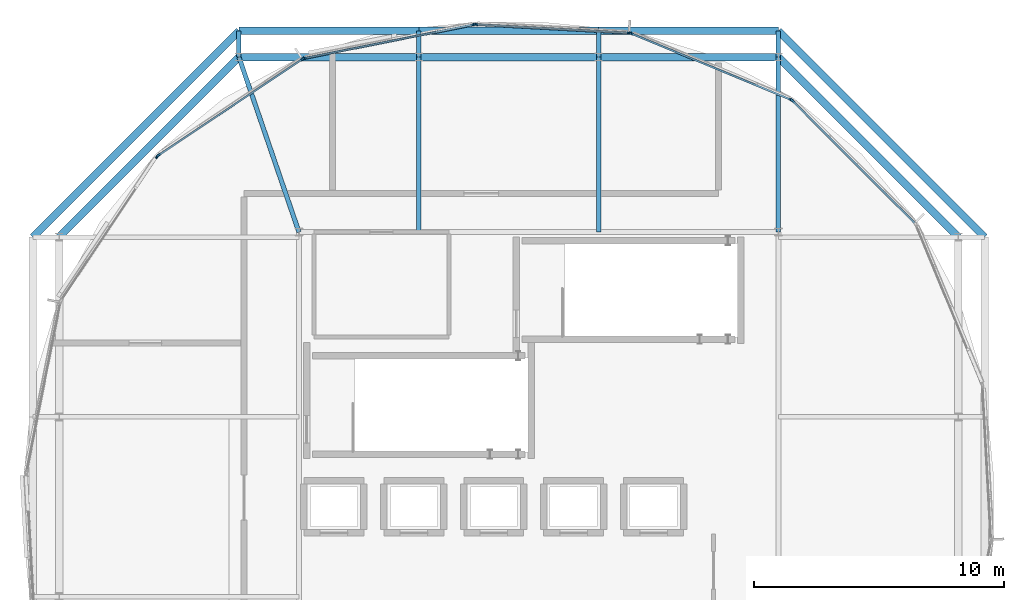
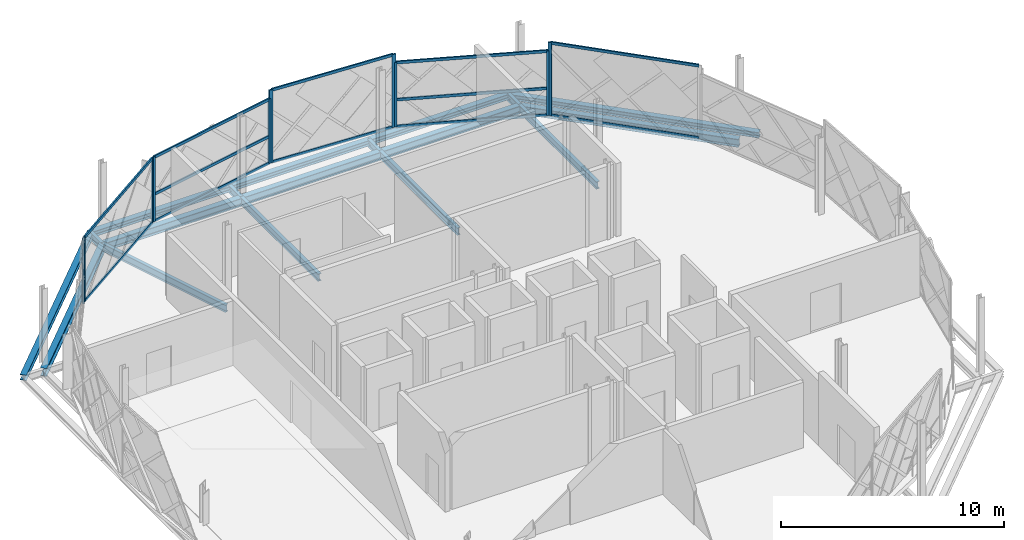
# One storey, part 8 of 15: 22 members, 18 beams, 6 elements without a shape of their own.
"""IFC4 building model written with IfcOpenShell, lengths in metres."""

from ifc_helpers import new_model, si_unit, direction, frame, origin, origin_2d, place, context, subcontext, project, spatial, rectangle, i_section, extrude, material, layer, layer_set, material_profile, profile_set, type_object, element, aggregate, save


model = new_model("IFC4")

# Units and contexts
model_context = context("Model", 3, precision=1e-05, world=origin(), true_north=direction((0.0, 1.0)))
body_context = subcontext(model_context, "Body", "Model", "MODEL_VIEW")
ifc_project = project(units=[si_unit("LENGTHUNIT", "METRE"), si_unit("AREAUNIT", "SQUARE_METRE"), si_unit("VOLUMEUNIT", "CUBIC_METRE"), si_unit("PLANEANGLEUNIT", "RADIAN"), si_unit("MASSUNIT", "GRAM", prefix="KILO")], contexts=[model_context])

# Site, building, storey
site_placement = place(None, origin())
site = spatial("IfcSite", under=ifc_project, at=site_placement, CompositionType="ELEMENT")
building_placement = place(site_placement, origin())
building = spatial("IfcBuilding", under=site, at=building_placement, Name="Zevrakil Square Congress Hotel", CompositionType="ELEMENT")
storey_placement = place(building_placement, frame((0.0, 0.0, 41.89990234375)))
storey = spatial("IfcBuildingStorey", under=building, at=storey_placement, Name="L12", CompositionType="ELEMENT", Elevation=41.89990234375)

# Beams
ifc_material_1 = material(Name="Steel S355", Category="steel")
ifc_material_profile_1 = material_profile(ifc_material_1, i_section(OverallWidth=0.300048828125, OverallDepth=0.43994140625, WebThickness=0.011474609375, FlangeThickness=0.02099609375, FilletRadius=0.027099609375, at=origin_2d()), Name="HEA 450")
ifc_profile_set_1 = profile_set([ifc_material_profile_1], Name="Steel S355")
beam_type_1 = type_object("IfcBeamType", Name="BM-HEA450", PredefinedType="BEAM", material=ifc_profile_set_1)
beam_1_placement = place(storey_placement, frame((163.199951171875, 38.39990234375, -0.469970703125), z_axis=(-0.70709479277, 0.7071187694, 0.0), x_axis=(-0.7071187694, -0.70709479277, 0.0)))
element("IfcBeam", 1, at=beam_1_placement, inside=storey, type_object=beam_type_1, Name="L12 drum ring girder DRB-08", PredefinedType="BEAM", context=body_context, shape_type="SweptSolid", body=[
    extrude(i_section(OverallWidth=0.300048828125, OverallDepth=0.43994140625, WebThickness=0.011474609375, FlangeThickness=0.02099609375, FilletRadius=0.027099609375, at=origin_2d()), origin(), (0.0, 0.0, 1.0), 10.182373046875),
])
for number, where, z_axis, x_axis, name in (
    (2, (156.0, 45.60009765625, -0.469970703125), (-1.0, 0.0, 0.0), (0.0, -1.0, 0.0), "L12 drum ring girder DRB-09"),
    (3, (148.800048828125, 45.60009765625, -0.469970703125), (-1.0, 0.0, 0.0), (0.0, -1.0, 0.0), "L12 drum ring girder DRB-10"),
):
    element("IfcBeam", number, at=place(storey_placement, frame(where, z_axis=z_axis, x_axis=x_axis)), inside=storey, type_object=beam_type_1, Name=name, PredefinedType="BEAM", context=body_context, shape_type="SweptSolid", body=[
        extrude(i_section(OverallWidth=0.300048828125, OverallDepth=0.43994140625, WebThickness=0.011474609375, FlangeThickness=0.02099609375, FilletRadius=0.027099609375, at=origin_2d()), origin(), (0.0, 0.0, 1.0), 7.199951171875),
    ])
beam_2_placement = place(storey_placement, frame((141.60009765625, 45.60009765625, -0.469970703125), z_axis=(-1.0, 0.0, 0.0), x_axis=(0.0, -1.0, 0.0)))
element("IfcBeam", 4, at=beam_2_placement, inside=storey, type_object=beam_type_1, Name="L12 drum ring girder DRB-11", PredefinedType="BEAM", context=body_context, shape_type="SweptSolid", body=[
    extrude(i_section(OverallWidth=0.300048828125, OverallDepth=0.43994140625, WebThickness=0.011474609375, FlangeThickness=0.02099609375, FilletRadius=0.027099609375, at=origin_2d()), origin(), (0.0, 0.0, 1.0), 7.2001953125),
])
beam_3_placement = place(storey_placement, frame((134.39990234375, 45.60009765625, -0.469970703125), z_axis=(-0.70709479277, -0.7071187694, 0.0), x_axis=(0.7071187694, -0.70709479277, 0.0)))
element("IfcBeam", 5, at=beam_3_placement, inside=storey, type_object=beam_type_1, Name="L12 drum ring girder DRB-12", PredefinedType="BEAM", context=body_context, shape_type="SweptSolid", body=[
    extrude(i_section(OverallWidth=0.300048828125, OverallDepth=0.43994140625, WebThickness=0.011474609375, FlangeThickness=0.02099609375, FilletRadius=0.027099609375, at=origin_2d()), origin(), (0.0, 0.0, 1.0), 10.182373046875),
])

# Curtain wall, members
ifc_material_2 = material(Name="Aluminium Anodised Bronze", Category="aluminium")
ifc_layer_1 = layer(ifc_material_2, 0.179931640625)
ifc_layer_set_1 = layer_set([ifc_layer_1], Name="Aluminium Anodised Bronze")
curtain_wall_type_1 = type_object("IfcCurtainWallType", Name="CW-L12-720", PredefinedType="USERDEFINED", material=ifc_layer_set_1)
curtain_wall_1_placement = place(storey_placement, origin())
curtain_wall_1 = element("IfcCurtainWall", 6, at=curtain_wall_1_placement, inside=storey, type_object=curtain_wall_type_1, Name="L12 diamond curtain wall CW-L12-0307", ObjectType="GLAZED CURTAIN WALL", PredefinedType="USERDEFINED")
ifc_material_3 = material(Name="Aluminium Anodised Bronze", Category="aluminium")
ifc_material_profile_2 = material_profile(ifc_material_3, rectangle(XDim=0.074951171875, YDim=0.14990234375, at=origin_2d()), Name="ALU 75x150")
ifc_profile_set_2 = profile_set([ifc_material_profile_2], Name="Aluminium Anodised Bronze")
member_type_1 = type_object("IfcMemberType", Name="CWM-ALU75x150", PredefinedType="USERDEFINED", material=ifc_profile_set_2)
member_1_placement = place(storey_placement, frame((161.442626953125, 38.9736328125, 0.030029296875), z_axis=(-0.707106781187, 0.707106781187, 0.0), x_axis=(-0.707106781187, -0.707106781187, 0.0)))
member_1 = element("IfcMember", 7, at=member_1_placement, type_object=member_type_1, Name="CW-142 transom 1.1", ObjectType="TRANSOM", PredefinedType="USERDEFINED", context=body_context, shape_type="SweptSolid", body=[
    extrude(rectangle(XDim=0.074951171875, YDim=0.14990234375, at=origin_2d()), origin(), (0.0, 0.0, 1.0), 6.8857421875),
])
member_2_placement = place(storey_placement, frame((161.442626953125, 38.9736328125, 3.965087890625), z_axis=(-0.707106781187, 0.707106781187, 0.0), x_axis=(-0.707106781187, -0.707106781187, 0.0)))
member_2 = element("IfcMember", 8, at=member_2_placement, type_object=member_type_1, Name="CW-142 transom 1.2", ObjectType="TRANSOM", PredefinedType="USERDEFINED", context=body_context, shape_type="SweptSolid", body=[
    extrude(rectangle(XDim=0.074951171875, YDim=0.14990234375, at=origin_2d()), origin(), (0.0, 0.0, 1.0), 6.8857421875),
])

curtain_wall_2_placement = place(storey_placement, origin())
curtain_wall_2 = element("IfcCurtainWall", 9, at=curtain_wall_2_placement, inside=storey, type_object=curtain_wall_type_1, Name="L12 diamond curtain wall CW-L12-0308", ObjectType="GLAZED CURTAIN WALL", PredefinedType="USERDEFINED")
member_3_placement = place(storey_placement, frame((156.475830078125, 43.907958984375, 0.030029296875), z_axis=(-0.923881573236, 0.382678505582, 0.0), x_axis=(-0.382678505582, -0.923881573236, 0.0)))
member_3 = element("IfcMember", 10, at=member_3_placement, type_object=member_type_1, Name="CW-142 transom 1.1", ObjectType="TRANSOM", PredefinedType="USERDEFINED", context=body_context, shape_type="SweptSolid", body=[
    extrude(rectangle(XDim=0.074951171875, YDim=0.14990234375, at=origin_2d()), origin(), (0.0, 0.0, 1.0), 6.8857421875),
])
member_4_placement = place(storey_placement, frame((156.475830078125, 43.907958984375, 1.48681640625), z_axis=(-0.923881573236, 0.382678505582, 0.0), x_axis=(-0.382678505582, -0.923881573236, 0.0)))
member_4 = element("IfcMember", 11, at=member_4_placement, type_object=member_type_1, Name="CW-142 transom 1.2", ObjectType="TRANSOM", PredefinedType="USERDEFINED", context=body_context, shape_type="SweptSolid", body=[
    extrude(rectangle(XDim=0.074951171875, YDim=0.14990234375, at=origin_2d()), origin(), (0.0, 0.0, 1.0), 6.8857421875),
])
member_5_placement = place(storey_placement, frame((156.475830078125, 43.907958984375, 3.510009765625), z_axis=(-0.923881573236, 0.382678505582, 0.0), x_axis=(-0.382678505582, -0.923881573236, 0.0)))
member_5 = element("IfcMember", 12, at=member_5_placement, type_object=member_type_1, Name="CW-142 transom 1.3", ObjectType="TRANSOM", PredefinedType="USERDEFINED", context=body_context, shape_type="SweptSolid", body=[
    extrude(rectangle(XDim=0.074951171875, YDim=0.14990234375, at=origin_2d()), origin(), (0.0, 0.0, 1.0), 6.8857421875),
])

ifc_material_4 = material(Name="Aluminium Anodised Bronze", Category="aluminium")
ifc_layer_2 = layer(ifc_material_4, 0.179931640625)
ifc_layer_set_2 = layer_set([ifc_layer_2], Name="Aluminium Anodised Bronze")
curtain_wall_type_2 = type_object("IfcCurtainWallType", Name="CW-L12-640", PredefinedType="USERDEFINED", material=ifc_layer_set_2)
curtain_wall_3_placement = place(storey_placement, origin())
curtain_wall_3 = element("IfcCurtainWall", 13, at=curtain_wall_3_placement, inside=storey, type_object=curtain_wall_type_2, Name="L12 diamond curtain wall CW-L12-0309", ObjectType="GLAZED CURTAIN WALL", PredefinedType="USERDEFINED")
member_6_placement = place(storey_placement, frame((149.998779296875, 46.5693359375, 0.030029296875), z_axis=(-0.998462444515, 0.055432363232, 0.0), x_axis=(-0.055432363232, -0.998462444515, 0.0)))
member_6 = element("IfcMember", 14, at=member_6_placement, type_object=member_type_1, Name="CW-141 transom 1.1", ObjectType="TRANSOM", PredefinedType="USERDEFINED", context=body_context, shape_type="SweptSolid", body=[
    extrude(rectangle(XDim=0.074951171875, YDim=0.14990234375, at=origin_2d()), origin(), (0.0, 0.0, 1.0), 6.104248046875),
])
member_7_placement = place(storey_placement, frame((149.998779296875, 46.5693359375, 3.965087890625), z_axis=(-0.998462444515, 0.055432363232, 0.0), x_axis=(-0.055432363232, -0.998462444515, 0.0)))
member_7 = element("IfcMember", 15, at=member_7_placement, type_object=member_type_1, Name="CW-141 transom 1.2", ObjectType="TRANSOM", PredefinedType="USERDEFINED", context=body_context, shape_type="SweptSolid", body=[
    extrude(rectangle(XDim=0.074951171875, YDim=0.14990234375, at=origin_2d()), origin(), (0.0, 0.0, 1.0), 6.104248046875),
])

curtain_wall_4_placement = place(storey_placement, origin())
curtain_wall_4 = element("IfcCurtainWall", 16, at=curtain_wall_4_placement, inside=storey, type_object=curtain_wall_type_1, Name="L12 diamond curtain wall CW-L12-0310", ObjectType="GLAZED CURTAIN WALL", PredefinedType="USERDEFINED")
member_8_placement = place(storey_placement, frame((143.78515625, 46.8994140625, 0.030029296875), z_axis=(-0.980780625536, -0.195113722158, 0.0), x_axis=(0.195113722158, -0.980780625536, 0.0)))
member_8 = element("IfcMember", 17, at=member_8_placement, type_object=member_type_1, Name="CW-142 transom 1.1", ObjectType="TRANSOM", PredefinedType="USERDEFINED", context=body_context, shape_type="SweptSolid", body=[
    extrude(rectangle(XDim=0.074951171875, YDim=0.14990234375, at=origin_2d()), origin(), (0.0, 0.0, 1.0), 6.8857421875),
])
member_9_placement = place(storey_placement, frame((143.78515625, 46.8994140625, 1.48681640625), z_axis=(-0.980780625536, -0.195113722158, 0.0), x_axis=(0.195113722158, -0.980780625536, 0.0)))
member_9 = element("IfcMember", 18, at=member_9_placement, type_object=member_type_1, Name="CW-142 transom 1.2", ObjectType="TRANSOM", PredefinedType="USERDEFINED", context=body_context, shape_type="SweptSolid", body=[
    extrude(rectangle(XDim=0.074951171875, YDim=0.14990234375, at=origin_2d()), origin(), (0.0, 0.0, 1.0), 6.8857421875),
])
member_10_placement = place(storey_placement, frame((143.78515625, 46.8994140625, 3.510009765625), z_axis=(-0.980780625536, -0.195113722158, 0.0), x_axis=(0.195113722158, -0.980780625536, 0.0)))
member_10 = element("IfcMember", 19, at=member_10_placement, type_object=member_type_1, Name="CW-142 transom 1.3", ObjectType="TRANSOM", PredefinedType="USERDEFINED", context=body_context, shape_type="SweptSolid", body=[
    extrude(rectangle(XDim=0.074951171875, YDim=0.14990234375, at=origin_2d()), origin(), (0.0, 0.0, 1.0), 6.8857421875),
])

curtain_wall_5_placement = place(storey_placement, origin())
curtain_wall_5 = element("IfcCurtainWall", 20, at=curtain_wall_5_placement, inside=storey, type_object=curtain_wall_type_1, Name="L12 diamond curtain wall CW-L12-0311", ObjectType="GLAZED CURTAIN WALL", PredefinedType="USERDEFINED")
member_11_placement = place(storey_placement, frame((136.923095703125, 45.510986328125, 0.030029296875), z_axis=(-0.8314771011, -0.555559025079, 0.0), x_axis=(0.555559025079, -0.8314771011, 0.0)))
member_11 = element("IfcMember", 21, at=member_11_placement, type_object=member_type_1, Name="CW-142 transom 1.1", ObjectType="TRANSOM", PredefinedType="USERDEFINED", context=body_context, shape_type="SweptSolid", body=[
    extrude(rectangle(XDim=0.074951171875, YDim=0.14990234375, at=origin_2d()), origin(), (0.0, 0.0, 1.0), 6.8857421875),
])
member_12_placement = place(storey_placement, frame((136.923095703125, 45.510986328125, 3.510009765625), z_axis=(-0.8314771011, -0.555559025079, 0.0), x_axis=(0.555559025079, -0.8314771011, 0.0)))
member_12 = element("IfcMember", 22, at=member_12_placement, type_object=member_type_1, Name="CW-142 transom 1.2", ObjectType="TRANSOM", PredefinedType="USERDEFINED", context=body_context, shape_type="SweptSolid", body=[
    extrude(rectangle(XDim=0.074951171875, YDim=0.14990234375, at=origin_2d()), origin(), (0.0, 0.0, 1.0), 6.8857421875),
])

# Member
ifc_material_5 = material(Name="Aluminium Anodised Bronze", Category="aluminium")
ifc_material_profile_3 = material_profile(ifc_material_5, rectangle(XDim=0.074951171875, YDim=0.179931640625, at=origin_2d()), Name="ALU 75x180")
ifc_profile_set_3 = profile_set([ifc_material_profile_3], Name="Aluminium Anodised Bronze")
member_type_2 = type_object("IfcMemberType", Name="CWM-ALU75x180", PredefinedType="MULLION", material=ifc_profile_set_3)
member_13_placement = place(storey_placement, frame((156.552490234375, 43.86376953125, 0.0), z_axis=(0.0, 0.0, 1.0), x_axis=(-0.707106781187, -0.707106781187, 0.0)))
member_13 = element("IfcMember", 23, at=member_13_placement, type_object=member_type_2, Name="CW-142 mullion 2", PredefinedType="MULLION", context=body_context, shape_type="SweptSolid", body=[
    extrude(rectangle(XDim=0.074951171875, YDim=0.179931640625, at=origin_2d()), origin(), (0.0, 0.0, 1.0), 3.9951171875),
])

aggregate(curtain_wall_1, [member_13, member_1, member_2])

member_14_placement = place(storey_placement, frame((156.503662109375, 43.896484375, 0.0), z_axis=(0.0, 0.0, 1.0), x_axis=(-0.382683763454, -0.92387939537, 0.0)))
member_14 = element("IfcMember", 24, at=member_14_placement, type_object=member_type_2, Name="CW-142 mullion 1", PredefinedType="MULLION", context=body_context, shape_type="SweptSolid", body=[
    extrude(rectangle(XDim=0.074951171875, YDim=0.179931640625, at=origin_2d()), origin(), (0.0, 0.0, 1.0), 3.5400390625),
])

member_15_placement = place(storey_placement, frame((150.08642578125, 46.554443359375, 0.0), z_axis=(0.0, 0.0, 1.0), x_axis=(-0.382683763454, -0.92387939537, 0.0)))
member_15 = element("IfcMember", 25, at=member_15_placement, type_object=member_type_2, Name="CW-142 mullion 2", PredefinedType="MULLION", context=body_context, shape_type="SweptSolid", body=[
    extrude(rectangle(XDim=0.074951171875, YDim=0.179931640625, at=origin_2d()), origin(), (0.0, 0.0, 1.0), 3.5400390625),
])

aggregate(curtain_wall_2, [member_14, member_15, member_3, member_4, member_5])

member_16_placement = place(storey_placement, frame((150.02880859375, 46.567626953125, 0.0), z_axis=(0.0, 0.0, 1.0), x_axis=(-0.055427309038, -0.998462725099, 0.0)))
member_16 = element("IfcMember", 26, at=member_16_placement, type_object=member_type_2, Name="CW-141 mullion 1", PredefinedType="MULLION", context=body_context, shape_type="SweptSolid", body=[
    extrude(rectangle(XDim=0.074951171875, YDim=0.179931640625, at=origin_2d()), origin(), (0.0, 0.0, 1.0), 3.9951171875),
])

member_17_placement = place(storey_placement, frame((143.8740234375, 46.909423828125, 0.0), z_axis=(0.0, 0.0, 1.0), x_axis=(-0.055427309038, -0.998462725099, 0.0)))
member_17 = element("IfcMember", 27, at=member_17_placement, type_object=member_type_2, Name="CW-141 mullion 2", PredefinedType="MULLION", context=body_context, shape_type="SweptSolid", body=[
    extrude(rectangle(XDim=0.074951171875, YDim=0.179931640625, at=origin_2d()), origin(), (0.0, 0.0, 1.0), 3.9951171875),
])

aggregate(curtain_wall_3, [member_16, member_17, member_6, member_7])

member_18_placement = place(storey_placement, frame((143.814697265625, 46.905029296875, 0.0), z_axis=(0.0, 0.0, 1.0), x_axis=(0.195083900459, -0.980786557708, 0.0)))
member_18 = element("IfcMember", 28, at=member_18_placement, type_object=member_type_2, Name="CW-142 mullion 1", PredefinedType="MULLION", context=body_context, shape_type="SweptSolid", body=[
    extrude(rectangle(XDim=0.074951171875, YDim=0.179931640625, at=origin_2d()), origin(), (0.0, 0.0, 1.0), 3.5400390625),
])

member_19_placement = place(storey_placement, frame((137.00244140625, 45.550048828125, 0.0), z_axis=(0.0, 0.0, 1.0), x_axis=(0.195083900459, -0.980786557708, 0.0)))
member_19 = element("IfcMember", 29, at=member_19_placement, type_object=member_type_2, Name="CW-142 mullion 2", PredefinedType="MULLION", context=body_context, shape_type="SweptSolid", body=[
    extrude(rectangle(XDim=0.074951171875, YDim=0.179931640625, at=origin_2d()), origin(), (0.0, 0.0, 1.0), 3.5400390625),
])

aggregate(curtain_wall_4, [member_18, member_19, member_8, member_9, member_10])

member_20_placement = place(storey_placement, frame((136.947998046875, 45.527587890625, 0.0), z_axis=(0.0, 0.0, 1.0), x_axis=(0.555576098128, -0.831465693332, 0.0)))
member_20 = element("IfcMember", 30, at=member_20_placement, type_object=member_type_2, Name="CW-142 mullion 1", PredefinedType="MULLION", context=body_context, shape_type="SweptSolid", body=[
    extrude(rectangle(XDim=0.074951171875, YDim=0.179931640625, at=origin_2d()), origin(), (0.0, 0.0, 1.0), 3.5400390625),
])

member_21_placement = place(storey_placement, frame((131.1728515625, 41.668701171875, 0.0), z_axis=(0.0, 0.0, 1.0), x_axis=(0.555576098128, -0.831465693332, 0.0)))
member_21 = element("IfcMember", 31, at=member_21_placement, type_object=member_type_2, Name="CW-142 mullion 2", PredefinedType="MULLION", context=body_context, shape_type="SweptSolid", body=[
    extrude(rectangle(XDim=0.074951171875, YDim=0.179931640625, at=origin_2d()), origin(), (0.0, 0.0, 1.0), 3.5400390625),
])

aggregate(curtain_wall_5, [member_20, member_21, member_11, member_12])

# Curtain wall, member
curtain_wall_6_placement = place(storey_placement, origin())
curtain_wall_6 = element("IfcCurtainWall", 32, at=curtain_wall_6_placement, inside=storey, type_object=curtain_wall_type_1, Name="L12 diamond curtain wall CW-L12-0312", ObjectType="GLAZED CURTAIN WALL", PredefinedType="USERDEFINED")
member_22_placement = place(storey_placement, frame((131.13134765625, 41.627197265625, 0.0), z_axis=(0.0, 0.0, 1.0), x_axis=(0.831465693332, -0.555576098128, 0.0)))
member_22 = element("IfcMember", 33, at=member_22_placement, type_object=member_type_2, Name="CW-142 mullion 1", PredefinedType="MULLION", context=body_context, shape_type="SweptSolid", body=[
    extrude(rectangle(XDim=0.074951171875, YDim=0.179931640625, at=origin_2d()), origin(), (0.0, 0.0, 1.0), 3.5400390625),
])
aggregate(curtain_wall_6, [member_22])

# Beams
ifc_material_6 = material(Name="Steel S355", Category="steel")
ifc_material_profile_4 = material_profile(ifc_material_6, i_section(OverallWidth=0.179931640625, OverallDepth=0.39990234375, WebThickness=0.008544921875, FlangeThickness=0.013427734375, FilletRadius=0.02099609375, at=origin_2d()), Name="IPE 400")
ifc_profile_set_4 = profile_set([ifc_material_profile_4], Name="Steel S355")
beam_type_2 = type_object("IfcBeamType", Name="JST-IPE400", PredefinedType="JOIST", material=ifc_profile_set_4)
beam_4_placement = place(storey_placement, frame((156.0, 38.60009765625, -0.449951171875), z_axis=(0.0, 1.0, 0.0), x_axis=(-1.0, 0.0, 0.0)))
element("IfcBeam", 34, at=beam_4_placement, inside=storey, type_object=beam_type_2, Name="L12 drum radial floor beam DRI-09", PredefinedType="JOIST", context=body_context, shape_type="SweptSolid", body=[
    extrude(i_section(OverallWidth=0.179931640625, OverallDepth=0.39990234375, WebThickness=0.008544921875, FlangeThickness=0.013427734375, FilletRadius=0.02099609375, at=origin_2d()), origin(), (0.0, 0.0, 1.0), 7.0),
])
beam_5_placement = place(storey_placement, frame((156.0, 45.60009765625, -0.449951171875), z_axis=(0.0, 1.0, 0.0), x_axis=(-1.0, 0.0, 0.0)))
element("IfcBeam", 35, at=beam_5_placement, inside=storey, type_object=beam_type_2, Name="L12 drum radial edge cantilever beam DRO-09", PredefinedType="JOIST", context=body_context, shape_type="SweptSolid", body=[
    extrude(i_section(OverallWidth=0.179931640625, OverallDepth=0.39990234375, WebThickness=0.008544921875, FlangeThickness=0.013427734375, FilletRadius=0.02099609375, at=origin_2d()), origin(), (0.0, 0.0, 1.0), 1.05078125),
])
beam_6_placement = place(storey_placement, frame((148.800048828125, 38.60009765625, -0.449951171875), z_axis=(0.0, 1.0, 0.0), x_axis=(-1.0, 0.0, 0.0)))
element("IfcBeam", 36, at=beam_6_placement, inside=storey, type_object=beam_type_2, Name="L12 drum radial floor beam DRI-10", PredefinedType="JOIST", context=body_context, shape_type="SweptSolid", body=[
    extrude(i_section(OverallWidth=0.179931640625, OverallDepth=0.39990234375, WebThickness=0.008544921875, FlangeThickness=0.013427734375, FilletRadius=0.02099609375, at=origin_2d()), origin(), (0.0, 0.0, 1.0), 7.0),
])
beam_7_placement = place(storey_placement, frame((148.800048828125, 45.60009765625, -0.449951171875), z_axis=(0.0, 1.0, 0.0), x_axis=(-1.0, 0.0, 0.0)))
element("IfcBeam", 37, at=beam_7_placement, inside=storey, type_object=beam_type_2, Name="L12 drum radial edge cantilever beam DRO-10", PredefinedType="JOIST", context=body_context, shape_type="SweptSolid", body=[
    extrude(i_section(OverallWidth=0.179931640625, OverallDepth=0.39990234375, WebThickness=0.008544921875, FlangeThickness=0.013427734375, FilletRadius=0.02099609375, at=origin_2d()), origin(), (0.0, 0.0, 1.0), 1.05078125),
])
beam_8_placement = place(storey_placement, frame((141.60009765625, 38.60009765625, -0.449951171875), z_axis=(0.0, 1.0, 0.0), x_axis=(-1.0, 0.0, 0.0)))
element("IfcBeam", 38, at=beam_8_placement, inside=storey, type_object=beam_type_2, Name="L12 drum radial floor beam DRI-11", PredefinedType="JOIST", context=body_context, shape_type="SweptSolid", body=[
    extrude(i_section(OverallWidth=0.179931640625, OverallDepth=0.39990234375, WebThickness=0.008544921875, FlangeThickness=0.013427734375, FilletRadius=0.02099609375, at=origin_2d()), origin(), (0.0, 0.0, 1.0), 7.0),
])
beam_9_placement = place(storey_placement, frame((141.60009765625, 45.60009765625, -0.449951171875), z_axis=(0.0, 1.0, 0.0), x_axis=(-1.0, 0.0, 0.0)))
element("IfcBeam", 39, at=beam_9_placement, inside=storey, type_object=beam_type_2, Name="L12 drum radial edge cantilever beam DRO-11", PredefinedType="JOIST", context=body_context, shape_type="SweptSolid", body=[
    extrude(i_section(OverallWidth=0.179931640625, OverallDepth=0.39990234375, WebThickness=0.008544921875, FlangeThickness=0.013427734375, FilletRadius=0.02099609375, at=origin_2d()), origin(), (0.0, 0.0, 1.0), 1.05078125),
])
beam_10_placement = place(storey_placement, frame((136.800048828125, 38.60009765625, -0.449951171875), z_axis=(-0.324342037158, 0.945939872789, 0.0), x_axis=(-0.945939872789, -0.324342037158, 0.0)))
element("IfcBeam", 40, at=beam_10_placement, inside=storey, type_object=beam_type_2, Name="L12 drum radial floor beam DRI-12", PredefinedType="JOIST", context=body_context, shape_type="SweptSolid", body=[
    extrude(i_section(OverallWidth=0.179931640625, OverallDepth=0.39990234375, WebThickness=0.008544921875, FlangeThickness=0.013427734375, FilletRadius=0.02099609375, at=origin_2d()), origin(), (0.0, 0.0, 1.0), 7.400146484375),
])
beam_11_placement = place(storey_placement, frame((134.39990234375, 45.60009765625, -0.449951171875), z_axis=(0.0, 1.0, 0.0), x_axis=(-1.0, 0.0, 0.0)))
element("IfcBeam", 41, at=beam_11_placement, inside=storey, type_object=beam_type_2, Name="L12 drum radial edge cantilever beam DRO-12", PredefinedType="JOIST", context=body_context, shape_type="SweptSolid", body=[
    extrude(i_section(OverallWidth=0.179931640625, OverallDepth=0.39990234375, WebThickness=0.008544921875, FlangeThickness=0.013427734375, FilletRadius=0.02099609375, at=origin_2d()), origin(), (0.0, 0.0, 1.0), 1.05078125),
])
ifc_material_7 = material(Name="Steel S355", Category="steel")
ifc_material_profile_5 = material_profile(ifc_material_7, i_section(OverallWidth=0.300048828125, OverallDepth=0.300048828125, WebThickness=0.010986328125, FlangeThickness=0.01904296875, FilletRadius=0.027099609375, at=origin_2d()), Name="HEB 300")
ifc_profile_set_5 = profile_set([ifc_material_profile_5], Name="Steel S355")
beam_type_3 = type_object("IfcBeamType", Name="SPD-RHS250", PredefinedType="SPANDREL", material=ifc_profile_set_5)
beam_12_placement = place(storey_placement, frame((164.2509765625, 38.39990234375, -0.39990234375), z_axis=(-0.707106781187, 0.707106781187, 0.0), x_axis=(-0.707106781187, -0.707106781187, 0.0)))
element("IfcBeam", 42, at=beam_12_placement, inside=storey, type_object=beam_type_3, Name="L12 drum edge spandrel beam DSP-07", PredefinedType="SPANDREL", context=body_context, shape_type="SweptSolid", body=[
    extrude(i_section(OverallWidth=0.300048828125, OverallDepth=0.300048828125, WebThickness=0.010986328125, FlangeThickness=0.01904296875, FilletRadius=0.027099609375, at=origin_2d()), origin(), (0.0, 0.0, 1.0), 11.668701171875),
])
for number, where, z_axis, x_axis, name in (
    (43, (156.0, 46.65087890625, -0.39990234375), (-1.0, 0.0, 0.0), (0.0, -1.0, 0.0), "L12 drum edge spandrel beam DSP-08"),
    (44, (148.800048828125, 46.65087890625, -0.39990234375), (-1.0, 0.0, 0.0), (0.0, -1.0, 0.0), "L12 drum edge spandrel beam DSP-09"),
):
    element("IfcBeam", number, at=place(storey_placement, frame(where, z_axis=z_axis, x_axis=x_axis)), inside=storey, type_object=beam_type_3, Name=name, PredefinedType="SPANDREL", context=body_context, shape_type="SweptSolid", body=[
        extrude(i_section(OverallWidth=0.300048828125, OverallDepth=0.300048828125, WebThickness=0.010986328125, FlangeThickness=0.01904296875, FilletRadius=0.027099609375, at=origin_2d()), origin(), (0.0, 0.0, 1.0), 7.199951171875),
    ])
beam_13_placement = place(storey_placement, frame((141.60009765625, 46.65087890625, -0.39990234375), z_axis=(-1.0, 0.0, 0.0), x_axis=(0.0, -1.0, 0.0)))
element("IfcBeam", 45, at=beam_13_placement, inside=storey, type_object=beam_type_3, Name="L12 drum edge spandrel beam DSP-10", PredefinedType="SPANDREL", context=body_context, shape_type="SweptSolid", body=[
    extrude(i_section(OverallWidth=0.300048828125, OverallDepth=0.300048828125, WebThickness=0.010986328125, FlangeThickness=0.01904296875, FilletRadius=0.027099609375, at=origin_2d()), origin(), (0.0, 0.0, 1.0), 7.2001953125),
])
beam_14_placement = place(storey_placement, frame((134.39990234375, 46.65087890625, -0.39990234375), z_axis=(-0.707106781187, -0.707106781187, 0.0), x_axis=(0.707106781187, -0.707106781187, 0.0)))
element("IfcBeam", 46, at=beam_14_placement, inside=storey, type_object=beam_type_3, Name="L12 drum edge spandrel beam DSP-11", PredefinedType="SPANDREL", context=body_context, shape_type="SweptSolid", body=[
    extrude(i_section(OverallWidth=0.300048828125, OverallDepth=0.300048828125, WebThickness=0.010986328125, FlangeThickness=0.01904296875, FilletRadius=0.027099609375, at=origin_2d()), origin(), (0.0, 0.0, 1.0), 11.668701171875),
])

save(model, "model.ifc")
